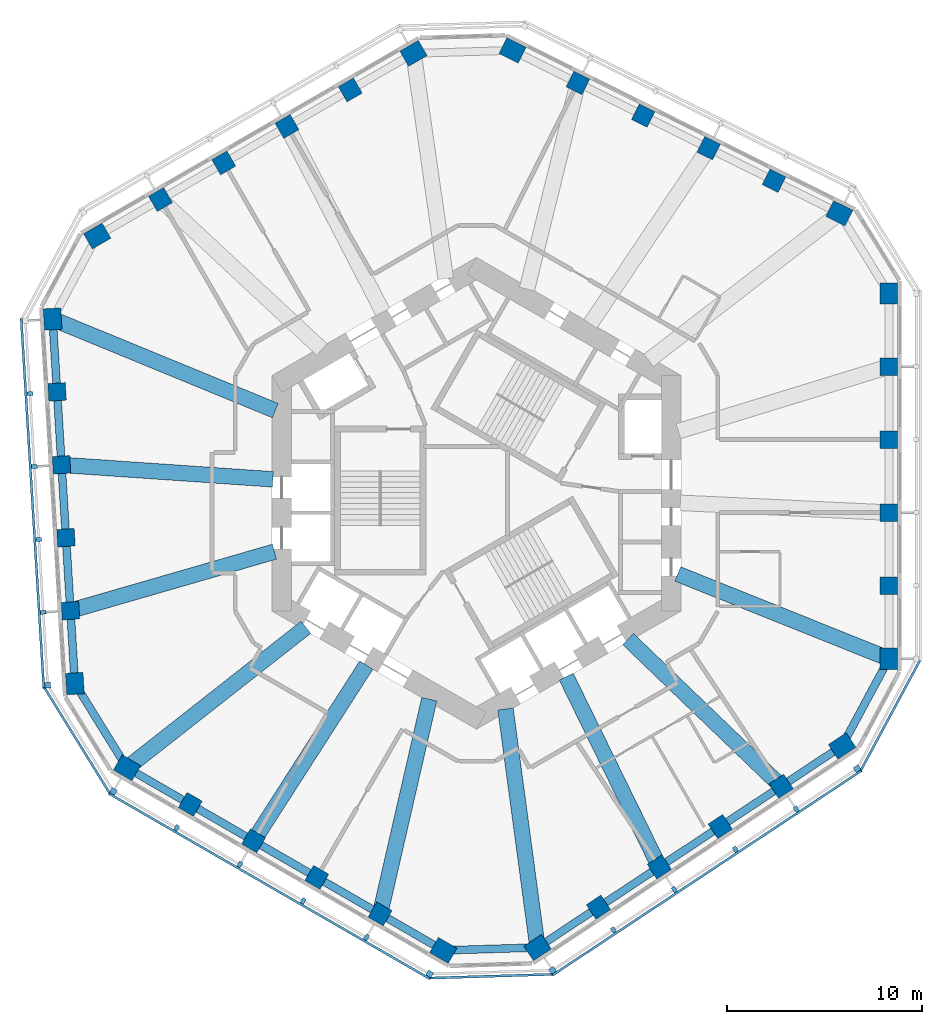
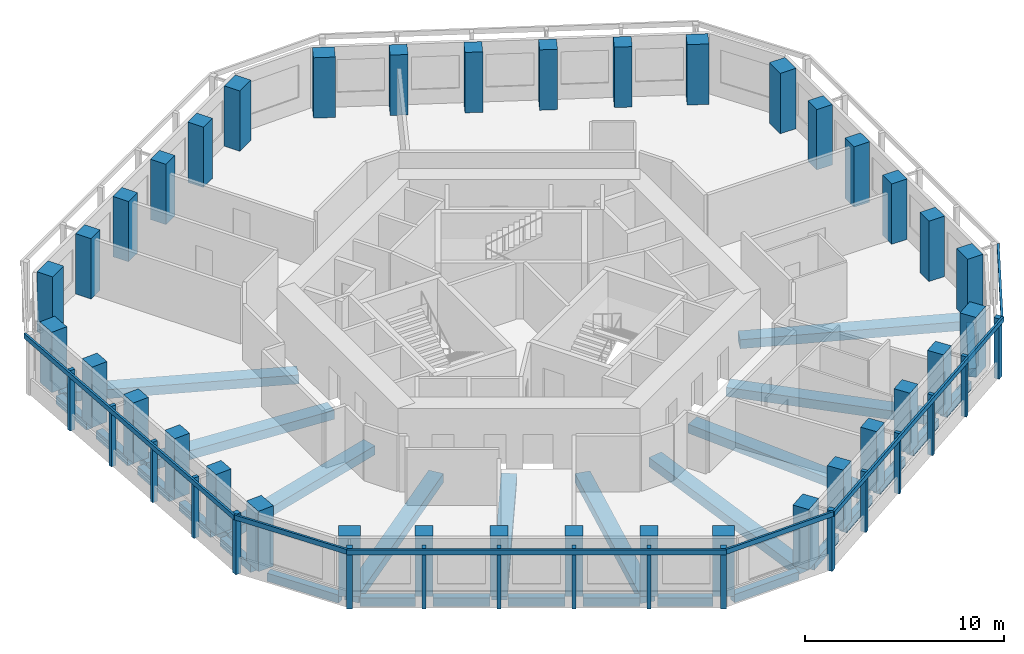
# One storey, part 1 of 10: 36 columns, 28 beams, 23 members, 6 elements without a shape of their own.
"""IFC4 building model written with IfcOpenShell, lengths in metres."""

from ifc_helpers import new_model, si_unit, direction, frame, origin, origin_2d, place, context, subcontext, project, spatial, rectangle, extrude, material, material_profile, profile_set, type_object, element, aggregate, save


model = new_model("IFC4")

# Units and contexts
model_context = context("Model", 3, precision=1e-05, world=origin(), true_north=direction((0.0, 1.0)))
body_context = subcontext(model_context, "Body", "Model", "MODEL_VIEW")
ifc_project = project(units=[si_unit("LENGTHUNIT", "METRE"), si_unit("AREAUNIT", "SQUARE_METRE"), si_unit("VOLUMEUNIT", "CUBIC_METRE"), si_unit("PLANEANGLEUNIT", "RADIAN"), si_unit("MASSUNIT", "GRAM", prefix="KILO")], contexts=[model_context])

# Site, building, storey
site_placement = place(None, origin())
site = spatial("IfcSite", under=ifc_project, at=site_placement, CompositionType="ELEMENT")
building_placement = place(site_placement, origin())
building = spatial("IfcBuilding", under=site, at=building_placement, Name="Vanh Sen Convention Tower", CompositionType="ELEMENT")
storey_placement = place(building_placement, frame((0.0, 0.0, 194.699951171875)))
storey = spatial("IfcBuildingStorey", under=building, at=storey_placement, Name="L48", CompositionType="ELEMENT", Elevation=194.699951171875)

# Columns
ifc_material_1 = material(Name="Concrete C80/95", Category="concrete")
ifc_material_profile_1 = material_profile(ifc_material_1, rectangle(XDim=0.89990234375, YDim=0.89990234375, at=origin_2d()), Name="RC 900X900")
ifc_profile_set_1 = profile_set([ifc_material_profile_1], Name="Concrete C80/95")
column_type_1 = type_object("IfcColumnType", Name="Facade column 900 x 900 C80/95", PredefinedType="COLUMN", material=ifc_profile_set_1)
for number, where, z_axis, x_axis, name in (
    (1, (21.199951171875, -4.746826171875, 0.0), (0.0, 0.0, 1.0), (0.0, 1.0, 0.0), "Facade column 02 L48"),
    (2, (21.199951171875, -0.992919921875, 0.0), (0.0, 0.0, 1.0), (0.0, 1.0, 0.0), "Facade column 03 L48"),
    (3, (21.199951171875, 2.76123046875, 0.0), (0.0, 0.0, 1.0), (0.0, 1.0, 0.0), "Facade column 04 L48"),
    (4, (21.199951171875, 6.515380859375, 0.0), (0.0, 0.0, 1.0), (0.0, 1.0, 0.0), "Facade column 05 L48"),
    (5, (15.290283203125, 16.0654296875, 0.0), (0.0, 0.0, 1.0), (-0.894934361602, 0.44619781311, 0.0), "Facade column 08 L48"),
    (6, (11.9306640625, 17.740478515625, 0.0), (0.0, 0.0, 1.0), (-0.894934361602, 0.44619781311, 0.0), "Facade column 09 L48"),
    (7, (8.57080078125, 19.41552734375, 0.0), (0.0, 0.0, 1.0), (-0.894934361602, 0.44619781311, 0.0), "Facade column 10 L48"),
    (8, (5.211181640625, 21.0908203125, 0.0), (0.0, 0.0, 1.0), (-0.894934361602, 0.44619781311, 0.0), "Facade column 11 L48"),
    (9, (-6.489013671875, 20.733154296875, 0.0), (0.0, 0.0, 1.0), (-0.866025403784, -0.5, 0.0), "Facade column 14 L48"),
    (10, (-9.740234375, 18.856201171875, 0.0), (0.0, 0.0, 1.0), (-0.866025403784, -0.5, 0.0), "Facade column 15 L48"),
    (11, (-12.991455078125, 16.97900390625, 0.0), (0.0, 0.0, 1.0), (-0.866025403784, -0.5, 0.0), "Facade column 16 L48"),
    (12, (-16.242431640625, 15.10205078125, 0.0), (0.0, 0.0, 1.0), (-0.866025403784, -0.5, 0.0), "Facade column 17 L48"),
    (13, (-21.55810546875, 5.208984375, 0.0), (0.0, 0.0, 1.0), (0.061048539535, -0.998134798422, 0.0), "Facade column 20 L48"),
    (14, (-21.3291015625, 1.4619140625, 0.0), (0.0, 0.0, 1.0), (0.061048539535, -0.998134798422, 0.0), "Facade column 21 L48"),
    (15, (-21.099853515625, -2.28515625, 0.0), (0.0, 0.0, 1.0), (0.061048539535, -0.998134798422, 0.0), "Facade column 22 L48"),
    (16, (-20.87060546875, -6.0322265625, 0.0), (0.0, 0.0, 1.0), (0.061048539535, -0.998134798422, 0.0), "Facade column 23 L48"),
    (17, (-14.7109375, -15.986328125, 0.0), (0.0, 0.0, 1.0), (0.866025403784, -0.5, 0.0), "Facade column 26 L48"),
    (18, (-11.459716796875, -17.86328125, 0.0), (0.0, 0.0, 1.0), (0.866025403784, -0.5, 0.0), "Facade column 27 L48"),
    (19, (-8.20849609375, -19.740478515625, 0.0), (0.0, 0.0, 1.0), (0.866025403784, -0.5, 0.0), "Facade column 28 L48"),
    (20, (-4.95751953125, -21.617431640625, 0.0), (0.0, 0.0, 1.0), (0.866025403784, -0.5, 0.0), "Facade column 29 L48"),
    (21, (6.267822265625, -21.2744140625, 0.0), (0.0, 0.0, 1.0), (0.833885822067, 0.551936985312, 0.0), "Facade column 32 L48"),
    (22, (9.3984375, -19.202392578125, 0.0), (0.0, 0.0, 1.0), (0.833885822067, 0.551936985312, 0.0), "Facade column 33 L48"),
    (23, (12.52880859375, -17.13037109375, 0.0), (0.0, 0.0, 1.0), (0.833885822067, 0.551936985312, 0.0), "Facade column 34 L48"),
    (24, (15.659423828125, -15.058349609375, 0.0), (0.0, 0.0, 1.0), (0.833885822067, 0.551936985312, 0.0), "Facade column 35 L48"),
):
    element("IfcColumn", number, at=place(storey_placement, frame(where, z_axis=z_axis, x_axis=x_axis)), inside=storey, type_object=column_type_1, Name=name, PredefinedType="COLUMN", context=body_context, shape_type="SweptSolid", body=[
        extrude(rectangle(XDim=0.89990234375, YDim=0.89990234375, at=origin_2d()), origin(), (0.0, 0.0, 1.0), 3.699951171875),
    ])
ifc_material_profile_2 = material_profile(ifc_material_1, rectangle(XDim=1.10009765625, YDim=0.89990234375, at=origin_2d()), Name="RC 1100X900")
ifc_profile_set_2 = profile_set([ifc_material_profile_2], Name="Concrete C80/95")
column_type_2 = type_object("IfcColumnType", Name="Facade corner column 1100 x 900 C80/95", PredefinedType="COLUMN", material=ifc_profile_set_2)
for number, where, z_axis, x_axis, name in (
    (25, (21.199951171875, -8.5009765625, 0.0), (0.0, 0.0, 1.0), (0.0, 1.0, 0.0), "Facade column 01 L48"),
    (26, (21.199951171875, 10.26953125, 0.0), (0.0, 0.0, 1.0), (0.0, 1.0, 0.0), "Facade column 06 L48"),
    (27, (18.64990234375, 14.390380859375, 0.0), (0.0, 0.0, 1.0), (-0.894934361602, 0.44619781311, 0.0), "Facade column 07 L48"),
    (28, (1.8515625, 22.765625, 0.0), (0.0, 0.0, 1.0), (-0.894934361602, 0.44619781311, 0.0), "Facade column 12 L48"),
    (29, (-3.23779296875, 22.610107421875, 0.0), (0.0, 0.0, 1.0), (-0.866025403784, -0.5, 0.0), "Facade column 13 L48"),
    (30, (-19.49365234375, 13.22509765625, 0.0), (0.0, 0.0, 1.0), (-0.866025403784, -0.5, 0.0), "Facade column 18 L48"),
    (31, (-21.787353515625, 8.956298828125, 0.0), (0.0, 0.0, 1.0), (0.061048539535, -0.998134798422, 0.0), "Facade column 19 L48"),
    (32, (-20.6416015625, -9.779296875, 0.0), (0.0, 0.0, 1.0), (0.061048539535, -0.998134798422, 0.0), "Facade column 24 L48"),
    (33, (-17.962158203125, -14.109130859375, 0.0), (0.0, 0.0, 1.0), (0.866025403784, -0.5, 0.0), "Facade column 25 L48"),
    (34, (-1.706298828125, -23.494384765625, 0.0), (0.0, 0.0, 1.0), (0.866025403784, -0.5, 0.0), "Facade column 30 L48"),
    (35, (3.137451171875, -23.346435546875, 0.0), (0.0, 0.0, 1.0), (0.833885822067, 0.551936985312, 0.0), "Facade column 31 L48"),
    (36, (18.789794921875, -12.986328125, 0.0), (0.0, 0.0, 1.0), (0.833885822067, 0.551936985312, 0.0), "Facade column 36 L48"),
):
    element("IfcColumn", number, at=place(storey_placement, frame(where, z_axis=z_axis, x_axis=x_axis)), inside=storey, type_object=column_type_2, Name=name, PredefinedType="COLUMN", context=body_context, shape_type="SweptSolid", body=[
        extrude(rectangle(XDim=1.10009765625, YDim=0.89990234375, at=origin_2d()), origin(), (0.0, 0.0, 1.0), 3.699951171875),
    ])

# Curtain wall, member
ifc_material_2 = material(Name="Concrete C50/60", Category="concrete")
curtain_wall_type = type_object("IfcCurtainWallType", Name="Outer skin office zone", PredefinedType="NOTDEFINED", material=ifc_material_2)
curtain_wall_1_placement = place(storey_placement, origin())
curtain_wall_1 = element("IfcCurtainWall", 37, at=curtain_wall_1_placement, inside=storey, type_object=curtain_wall_type, Name="OUTER SKIN W L48", PredefinedType="NOTDEFINED")
ifc_material_profile_3 = material_profile(ifc_material_2, rectangle(XDim=0.300048828125, YDim=0.300048828125, at=origin_2d()), Name="Outer skin precast corner fin 300 x 300")
ifc_profile_set_3 = profile_set([ifc_material_profile_3], Name="Concrete C50/60")
member_type_1 = type_object("IfcMemberType", Name="Outer skin precast corner fin 300 x 300", PredefinedType="MULLION", material=ifc_profile_set_3)
member_1_placement = place(storey_placement, frame((-22.038818359375, -9.864990234375, 0.0), z_axis=(0.0, 0.0, 1.0), x_axis=(0.061048539535, -0.998134798422, 0.0)))
member_1 = element("IfcMember", 38, at=member_1_placement, type_object=member_type_1, Name="OUTER SKIN CORNER FIN 6 W L48", PredefinedType="MULLION", context=body_context, shape_type="SweptSolid", body=[
    extrude(rectangle(XDim=0.300048828125, YDim=0.300048828125, at=origin_2d()), origin(), (0.0, 0.0, 1.0), 3.699951171875),
])

# Curtain wall, members
curtain_wall_2_placement = place(storey_placement, origin())
curtain_wall_2 = element("IfcCurtainWall", 39, at=curtain_wall_2_placement, inside=storey, type_object=curtain_wall_type, Name="OUTER SKIN SW L48", PredefinedType="NOTDEFINED")
member_2_placement = place(storey_placement, frame((-18.662109375, -15.321533203125, 0.0), z_axis=(0.0, 0.0, 1.0), x_axis=(0.866025403784, -0.5, 0.0)))
member_2 = element("IfcMember", 40, at=member_2_placement, type_object=member_type_1, Name="OUTER SKIN CORNER FIN 1 SW L48", PredefinedType="MULLION", context=body_context, shape_type="SweptSolid", body=[
    extrude(rectangle(XDim=0.300048828125, YDim=0.300048828125, at=origin_2d()), origin(), (0.0, 0.0, 1.0), 3.699951171875),
])
member_3_placement = place(storey_placement, frame((-2.40625, -24.706787109375, 0.0), z_axis=(0.0, 0.0, 1.0), x_axis=(0.866025403784, -0.5, 0.0)))
member_3 = element("IfcMember", 41, at=member_3_placement, type_object=member_type_1, Name="OUTER SKIN CORNER FIN 6 SW L48", PredefinedType="MULLION", context=body_context, shape_type="SweptSolid", body=[
    extrude(rectangle(XDim=0.300048828125, YDim=0.300048828125, at=origin_2d()), origin(), (0.0, 0.0, 1.0), 3.699951171875),
])

curtain_wall_3_placement = place(storey_placement, origin())
curtain_wall_3 = element("IfcCurtainWall", 42, at=curtain_wall_3_placement, inside=storey, type_object=curtain_wall_type, Name="OUTER SKIN SE L48", PredefinedType="NOTDEFINED")
member_4_placement = place(storey_placement, frame((3.91015625, -24.513916015625, 0.0), z_axis=(0.0, 0.0, 1.0), x_axis=(0.833885822067, 0.551936985312, 0.0)))
member_4 = element("IfcMember", 43, at=member_4_placement, type_object=member_type_1, Name="OUTER SKIN CORNER FIN 1 SE L48", PredefinedType="MULLION", context=body_context, shape_type="SweptSolid", body=[
    extrude(rectangle(XDim=0.300048828125, YDim=0.300048828125, at=origin_2d()), origin(), (0.0, 0.0, 1.0), 3.699951171875),
])
member_5_placement = place(storey_placement, frame((19.5625, -14.15380859375, 0.0), z_axis=(0.0, 0.0, 1.0), x_axis=(0.833885822067, 0.551936985312, 0.0)))
member_5 = element("IfcMember", 44, at=member_5_placement, type_object=member_type_1, Name="OUTER SKIN CORNER FIN 6 SE L48", PredefinedType="MULLION", context=body_context, shape_type="SweptSolid", body=[
    extrude(rectangle(XDim=0.300048828125, YDim=0.300048828125, at=origin_2d()), origin(), (0.0, 0.0, 1.0), 3.699951171875),
])

# Member
ifc_material_profile_4 = material_profile(ifc_material_2, rectangle(XDim=0.199951171875, YDim=0.300048828125, at=origin_2d()), Name="Outer skin precast fin 200 x 300")
ifc_profile_set_4 = profile_set([ifc_material_profile_4], Name="Concrete C50/60")
member_type_2 = type_object("IfcMemberType", Name="Outer skin precast fin 200 x 300", PredefinedType="MULLION", material=ifc_profile_set_4)
member_6_placement = place(storey_placement, frame((-22.95556640625, 5.12353515625, 0.0), z_axis=(0.0, 0.0, 1.0), x_axis=(0.061048539535, -0.998134798422, 0.0)))
member_6 = element("IfcMember", 45, at=member_6_placement, type_object=member_type_2, Name="OUTER SKIN fin 2 W L48", PredefinedType="MULLION", context=body_context, shape_type="SweptSolid", body=[
    extrude(rectangle(XDim=0.199951171875, YDim=0.300048828125, at=origin_2d()), origin(), (0.0, 0.0, 1.0), 3.699951171875),
])

member_7_placement = place(storey_placement, frame((-22.726318359375, 1.37646484375, 0.0), z_axis=(0.0, 0.0, 1.0), x_axis=(0.061048539535, -0.998134798422, 0.0)))
member_7 = element("IfcMember", 46, at=member_7_placement, type_object=member_type_2, Name="OUTER SKIN fin 3 W L48", PredefinedType="MULLION", context=body_context, shape_type="SweptSolid", body=[
    extrude(rectangle(XDim=0.199951171875, YDim=0.300048828125, at=origin_2d()), origin(), (0.0, 0.0, 1.0), 3.699951171875),
])

member_8_placement = place(storey_placement, frame((-22.497314453125, -2.37060546875, 0.0), z_axis=(0.0, 0.0, 1.0), x_axis=(0.061048539535, -0.998134798422, 0.0)))
member_8 = element("IfcMember", 47, at=member_8_placement, type_object=member_type_2, Name="OUTER SKIN fin 4 W L48", PredefinedType="MULLION", context=body_context, shape_type="SweptSolid", body=[
    extrude(rectangle(XDim=0.199951171875, YDim=0.300048828125, at=origin_2d()), origin(), (0.0, 0.0, 1.0), 3.699951171875),
])

member_9_placement = place(storey_placement, frame((-22.26806640625, -6.117919921875, 0.0), z_axis=(0.0, 0.0, 1.0), x_axis=(0.061048539535, -0.998134798422, 0.0)))
member_9 = element("IfcMember", 48, at=member_9_placement, type_object=member_type_2, Name="OUTER SKIN fin 5 W L48", PredefinedType="MULLION", context=body_context, shape_type="SweptSolid", body=[
    extrude(rectangle(XDim=0.199951171875, YDim=0.300048828125, at=origin_2d()), origin(), (0.0, 0.0, 1.0), 3.699951171875),
])

member_10_placement = place(storey_placement, frame((-15.410888671875, -17.19873046875, 0.0), z_axis=(0.0, 0.0, 1.0), x_axis=(0.866025403784, -0.5, 0.0)))
member_10 = element("IfcMember", 49, at=member_10_placement, type_object=member_type_2, Name="OUTER SKIN fin 2 SW L48", PredefinedType="MULLION", context=body_context, shape_type="SweptSolid", body=[
    extrude(rectangle(XDim=0.199951171875, YDim=0.300048828125, at=origin_2d()), origin(), (0.0, 0.0, 1.0), 3.699951171875),
])

member_11_placement = place(storey_placement, frame((-12.159912109375, -19.07568359375, 0.0), z_axis=(0.0, 0.0, 1.0), x_axis=(0.866025403784, -0.5, 0.0)))
member_11 = element("IfcMember", 50, at=member_11_placement, type_object=member_type_2, Name="OUTER SKIN fin 3 SW L48", PredefinedType="MULLION", context=body_context, shape_type="SweptSolid", body=[
    extrude(rectangle(XDim=0.199951171875, YDim=0.300048828125, at=origin_2d()), origin(), (0.0, 0.0, 1.0), 3.699951171875),
])

member_12_placement = place(storey_placement, frame((-8.90869140625, -20.952880859375, 0.0), z_axis=(0.0, 0.0, 1.0), x_axis=(0.866025403784, -0.5, 0.0)))
member_12 = element("IfcMember", 51, at=member_12_placement, type_object=member_type_2, Name="OUTER SKIN fin 4 SW L48", PredefinedType="MULLION", context=body_context, shape_type="SweptSolid", body=[
    extrude(rectangle(XDim=0.199951171875, YDim=0.300048828125, at=origin_2d()), origin(), (0.0, 0.0, 1.0), 3.699951171875),
])

member_13_placement = place(storey_placement, frame((-5.657470703125, -22.829833984375, 0.0), z_axis=(0.0, 0.0, 1.0), x_axis=(0.866025403784, -0.5, 0.0)))
member_13 = element("IfcMember", 52, at=member_13_placement, type_object=member_type_2, Name="OUTER SKIN fin 5 SW L48", PredefinedType="MULLION", context=body_context, shape_type="SweptSolid", body=[
    extrude(rectangle(XDim=0.199951171875, YDim=0.300048828125, at=origin_2d()), origin(), (0.0, 0.0, 1.0), 3.699951171875),
])

member_14_placement = place(storey_placement, frame((7.04052734375, -22.44189453125, 0.0), z_axis=(0.0, 0.0, 1.0), x_axis=(0.833885822067, 0.551936985312, 0.0)))
member_14 = element("IfcMember", 53, at=member_14_placement, type_object=member_type_2, Name="OUTER SKIN fin 2 SE L48", PredefinedType="MULLION", context=body_context, shape_type="SweptSolid", body=[
    extrude(rectangle(XDim=0.199951171875, YDim=0.300048828125, at=origin_2d()), origin(), (0.0, 0.0, 1.0), 3.699951171875),
])

member_15_placement = place(storey_placement, frame((10.171142578125, -20.369873046875, 0.0), z_axis=(0.0, 0.0, 1.0), x_axis=(0.833885822067, 0.551936985312, 0.0)))
member_15 = element("IfcMember", 54, at=member_15_placement, type_object=member_type_2, Name="OUTER SKIN fin 3 SE L48", PredefinedType="MULLION", context=body_context, shape_type="SweptSolid", body=[
    extrude(rectangle(XDim=0.199951171875, YDim=0.300048828125, at=origin_2d()), origin(), (0.0, 0.0, 1.0), 3.699951171875),
])

member_16_placement = place(storey_placement, frame((13.301513671875, -18.2978515625, 0.0), z_axis=(0.0, 0.0, 1.0), x_axis=(0.833885822067, 0.551936985312, 0.0)))
member_16 = element("IfcMember", 55, at=member_16_placement, type_object=member_type_2, Name="OUTER SKIN fin 4 SE L48", PredefinedType="MULLION", context=body_context, shape_type="SweptSolid", body=[
    extrude(rectangle(XDim=0.199951171875, YDim=0.300048828125, at=origin_2d()), origin(), (0.0, 0.0, 1.0), 3.699951171875),
])

member_17_placement = place(storey_placement, frame((16.43212890625, -16.225830078125, 0.0), z_axis=(0.0, 0.0, 1.0), x_axis=(0.833885822067, 0.551936985312, 0.0)))
member_17 = element("IfcMember", 56, at=member_17_placement, type_object=member_type_2, Name="OUTER SKIN fin 5 SE L48", PredefinedType="MULLION", context=body_context, shape_type="SweptSolid", body=[
    extrude(rectangle(XDim=0.199951171875, YDim=0.300048828125, at=origin_2d()), origin(), (0.0, 0.0, 1.0), 3.699951171875),
])

ifc_material_profile_5 = material_profile(ifc_material_2, rectangle(XDim=0.1201171875, YDim=0.300048828125, at=origin_2d()), Name="Outer skin precast spandrel band 300 x 120")
ifc_profile_set_5 = profile_set([ifc_material_profile_5], Name="Concrete C50/60")
member_type_3 = type_object("IfcMemberType", Name="Outer skin precast spandrel band 300 x 120", PredefinedType="USERDEFINED", material=ifc_profile_set_5)
member_18_placement = place(storey_placement, frame((-23.403564453125, 9.007568359375, 3.550048828125), z_axis=(0.061052799403, -0.998134537868, 0.0), x_axis=(0.998134537868, 0.061052799403, 0.0)))
member_18 = element("IfcMember", 57, at=member_18_placement, type_object=member_type_3, Name="OUTER SKIN spandrel band W L48", ObjectType="TRANSOM", PredefinedType="USERDEFINED", context=body_context, shape_type="SweptSolid", body=[
    extrude(rectangle(XDim=0.1201171875, YDim=0.300048828125, at=origin_2d()), origin(), (0.0, 0.0, 1.0), 19.070556640625),
])

aggregate(curtain_wall_1, [member_6, member_7, member_8, member_9, member_1, member_18])

# Curtain wall, member
curtain_wall_4_placement = place(storey_placement, origin())
curtain_wall_4 = element("IfcCurtainWall", 58, at=curtain_wall_4_placement, inside=storey, type_object=curtain_wall_type, Name="OUTER SKIN CH4 L48", PredefinedType="NOTDEFINED")
member_19_placement = place(storey_placement, frame((-22.217529296875, -9.975341796875, 3.550048828125), z_axis=(0.526207913146, -0.85035594438, 0.0), x_axis=(0.85035594438, 0.526207913146, 0.0)))
member_19 = element("IfcMember", 59, at=member_19_placement, type_object=member_type_3, Name="OUTER SKIN spandrel band CH4 L48", ObjectType="TRANSOM", PredefinedType="USERDEFINED", context=body_context, shape_type="SweptSolid", body=[
    extrude(rectangle(XDim=0.1201171875, YDim=0.300048828125, at=origin_2d()), origin(), (0.0, 0.0, 1.0), 6.4169921875),
])
aggregate(curtain_wall_4, [member_19])

# Member
member_20_placement = place(storey_placement, frame((-18.89697265625, -15.428466796875, 3.550048828125), z_axis=(0.866023136587, -0.500003926881, 0.0), x_axis=(0.500003926881, 0.866023136587, 0.0)))
member_20 = element("IfcMember", 60, at=member_20_placement, type_object=member_type_3, Name="OUTER SKIN spandrel band SW L48", ObjectType="TRANSOM", PredefinedType="USERDEFINED", context=body_context, shape_type="SweptSolid", body=[
    extrude(rectangle(XDim=0.1201171875, YDim=0.300048828125, at=origin_2d()), origin(), (0.0, 0.0, 1.0), 19.070556640625),
])

aggregate(curtain_wall_2, [member_2, member_10, member_11, member_12, member_13, member_3, member_20])

# Curtain wall, member
curtain_wall_5_placement = place(storey_placement, origin())
curtain_wall_5 = element("IfcCurtainWall", 61, at=curtain_wall_5_placement, inside=storey, type_object=curtain_wall_type, Name="OUTER SKIN CH5 L48", PredefinedType="NOTDEFINED")
member_21_placement = place(storey_placement, frame((-2.39990234375, -24.916748046875, 3.550048828125), z_axis=(0.99953413443, 0.030520716071, 0.0), x_axis=(-0.030520716071, 0.99953413443, 0.0)))
member_21 = element("IfcMember", 62, at=member_21_placement, type_object=member_type_3, Name="OUTER SKIN spandrel band CH5 L48", ObjectType="TRANSOM", PredefinedType="USERDEFINED", context=body_context, shape_type="SweptSolid", body=[
    extrude(rectangle(XDim=0.1201171875, YDim=0.300048828125, at=origin_2d()), origin(), (0.0, 0.0, 1.0), 6.3193359375),
])
aggregate(curtain_wall_5, [member_21])

# Member
member_22_placement = place(storey_placement, frame((3.90087890625, -24.771728515625, 3.550048828125), z_axis=(0.833891134859, 0.551928958475, 0.0), x_axis=(-0.551928958475, 0.833891134859, 0.0)))
member_22 = element("IfcMember", 63, at=member_22_placement, type_object=member_type_3, Name="OUTER SKIN spandrel band SE L48", ObjectType="TRANSOM", PredefinedType="USERDEFINED", context=body_context, shape_type="SweptSolid", body=[
    extrude(rectangle(XDim=0.1201171875, YDim=0.300048828125, at=origin_2d()), origin(), (0.0, 0.0, 1.0), 19.070556640625),
])

aggregate(curtain_wall_3, [member_4, member_14, member_15, member_16, member_17, member_5, member_22])

# Curtain wall, member
curtain_wall_6_placement = place(storey_placement, origin())
curtain_wall_6 = element("IfcCurtainWall", 64, at=curtain_wall_6_placement, inside=storey, type_object=curtain_wall_type, Name="OUTER SKIN CH6 L48", PredefinedType="NOTDEFINED")
member_23_placement = place(storey_placement, frame((19.74755859375, -14.253173828125, 3.550048828125), z_axis=(0.473316922434, 0.880892213008, 0.0), x_axis=(-0.880892213008, 0.473316922434, 0.0)))
member_23 = element("IfcMember", 65, at=member_23_placement, type_object=member_type_3, Name="OUTER SKIN spandrel band CH6 L48", ObjectType="TRANSOM", PredefinedType="USERDEFINED", context=body_context, shape_type="SweptSolid", body=[
    extrude(rectangle(XDim=0.1201171875, YDim=0.300048828125, at=origin_2d()), origin(), (0.0, 0.0, 1.0), 6.417236328125),
])
aggregate(curtain_wall_6, [member_23])

# Beams
ifc_material_3 = material(Name="Concrete C50/60", Category="concrete")
ifc_material_profile_6 = material_profile(ifc_material_3, rectangle(XDim=0.800048828125, YDim=0.550048828125, at=origin_2d()), Name="RC 800X550")
ifc_profile_set_6 = profile_set([ifc_material_profile_6], Name="Concrete C50/60")
beam_type_1 = type_object("IfcBeamType", Name="Radial floor beam 800 x 550", PredefinedType="BEAM", material=ifc_profile_set_6)
beam_1_placement = place(storey_placement, frame((20.903564453125, -8.382080078125, -0.554931640625), z_axis=(-0.928156603648, 0.372189896565, 0.0), x_axis=(-0.372189896565, -0.928156603648, 0.0)))
element("IfcBeam", 66, at=beam_1_placement, inside=storey, type_object=beam_type_1, Name="Radial beam 01 L48", PredefinedType="BEAM", context=body_context, shape_type="SweptSolid", body=[
    extrude(rectangle(XDim=0.800048828125, YDim=0.550048828125, at=origin_2d()), origin(), (0.0, 0.0, 1.0), 11.374267578125),
])
beam_2_placement = place(storey_placement, frame((-21.5087890625, 8.841796875, -0.554931640625), z_axis=(0.924896155716, -0.38021980635, 0.0), x_axis=(0.38021980635, 0.924896155716, 0.0)))
element("IfcBeam", 67, at=beam_2_placement, inside=storey, type_object=beam_type_1, Name="Radial beam 10 L48", PredefinedType="BEAM", context=body_context, shape_type="SweptSolid", body=[
    extrude(rectangle(XDim=0.800048828125, YDim=0.550048828125, at=origin_2d()), origin(), (0.0, 0.0, 1.0), 12.072265625),
])
beam_3_placement = place(storey_placement, frame((-20.93310546875, 1.434814453125, -0.554931640625), z_axis=(0.997659434277, -0.068378748143, 0.0), x_axis=(0.068378748143, 0.997659434277, 0.0)))
element("IfcBeam", 68, at=beam_3_placement, inside=storey, type_object=beam_type_1, Name="Radial beam 11 L48", PredefinedType="BEAM", context=body_context, shape_type="SweptSolid", body=[
    extrude(rectangle(XDim=0.800048828125, YDim=0.550048828125, at=origin_2d()), origin(), (0.0, 0.0, 1.0), 10.489990234375),
])
beam_4_placement = place(storey_placement, frame((-20.61328125, -5.9580078125, -0.554931640625), z_axis=(0.96067232832, 0.277684492906, 0.0), x_axis=(-0.277684492906, 0.96067232832, 0.0)))
element("IfcBeam", 69, at=beam_4_placement, inside=storey, type_object=beam_type_1, Name="Radial beam 12 L48", PredefinedType="BEAM", context=body_context, shape_type="SweptSolid", body=[
    extrude(rectangle(XDim=0.800048828125, YDim=0.550048828125, at=origin_2d()), origin(), (0.0, 0.0, 1.0), 10.64794921875),
])
beam_5_placement = place(storey_placement, frame((-17.7109375, -13.911865234375, -0.554931640625), z_axis=(0.786403987122, 0.617712529449, 0.0), x_axis=(-0.617712529449, 0.786403987122, 0.0)))
element("IfcBeam", 70, at=beam_5_placement, inside=storey, type_object=beam_type_1, Name="Radial beam 13 L48", PredefinedType="BEAM", context=body_context, shape_type="SweptSolid", body=[
    extrude(rectangle(XDim=0.800048828125, YDim=0.550048828125, at=origin_2d()), origin(), (0.0, 0.0, 1.0), 11.3740234375),
])
beam_6_placement = place(storey_placement, frame((-11.2294921875, -17.504150390625, -0.554931640625), z_axis=(0.539967356894, 0.841685958947, 0.0), x_axis=(-0.841685958947, 0.539967356894, 0.0)))
element("IfcBeam", 71, at=beam_6_placement, inside=storey, type_object=beam_type_1, Name="Radial beam 14 L48", PredefinedType="BEAM", context=body_context, shape_type="SweptSolid", body=[
    extrude(rectangle(XDim=0.800048828125, YDim=0.550048828125, at=origin_2d()), origin(), (0.0, 0.0, 1.0), 10.308837890625),
])
beam_7_placement = place(storey_placement, frame((-4.9072265625, -21.39794921875, -0.554931640625), z_axis=(0.223532057965, 0.974696577947, 0.0), x_axis=(-0.974696577947, 0.223532057965, 0.0)))
element("IfcBeam", 72, at=beam_7_placement, inside=storey, type_object=beam_type_1, Name="Radial beam 15 L48", PredefinedType="BEAM", context=body_context, shape_type="SweptSolid", body=[
    extrude(rectangle(XDim=0.800048828125, YDim=0.550048828125, at=origin_2d()), origin(), (0.0, 0.0, 1.0), 11.0966796875),
])
beam_8_placement = place(storey_placement, frame((3.097412109375, -23.0478515625, -0.554931640625), z_axis=(-0.133194270132, 0.991089948695, 0.0), x_axis=(-0.991089948695, -0.133194270132, 0.0)))
element("IfcBeam", 73, at=beam_8_placement, inside=storey, type_object=beam_type_1, Name="Radial beam 16 L48", PredefinedType="BEAM", context=body_context, shape_type="SweptSolid", body=[
    extrude(rectangle(XDim=0.800048828125, YDim=0.550048828125, at=origin_2d()), origin(), (0.0, 0.0, 1.0), 12.072021484375),
])
beam_9_placement = place(storey_placement, frame((9.22412109375, -18.84619140625, -0.554931640625), z_axis=(-0.439610391955, 0.898188567777, 0.0), x_axis=(-0.898188567777, -0.439610391955, 0.0)))
element("IfcBeam", 74, at=beam_9_placement, inside=storey, type_object=beam_type_1, Name="Radial beam 17 L48", PredefinedType="BEAM", context=body_context, shape_type="SweptSolid", body=[
    extrude(rectangle(XDim=0.800048828125, YDim=0.550048828125, at=origin_2d()), origin(), (0.0, 0.0, 1.0), 10.490234375),
])
beam_10_placement = place(storey_placement, frame((15.46630859375, -14.87255859375, -0.554931640625), z_axis=(-0.720808831616, 0.693133917987, 0.0), x_axis=(-0.693133917987, -0.720808831616, 0.0)))
element("IfcBeam", 75, at=beam_10_placement, inside=storey, type_object=beam_type_1, Name="Radial beam 18 L48", PredefinedType="BEAM", context=body_context, shape_type="SweptSolid", body=[
    extrude(rectangle(XDim=0.800048828125, YDim=0.550048828125, at=origin_2d()), origin(), (0.0, 0.0, 1.0), 10.64794921875),
])
ifc_material_profile_7 = material_profile(ifc_material_3, rectangle(XDim=0.39990234375, YDim=0.5, at=origin_2d()), Name="RC 400X500")
ifc_profile_set_7 = profile_set([ifc_material_profile_7], Name="Concrete C50/60")
beam_type_2 = type_object("IfcBeamType", Name="Spandrel beam 400 x 500", PredefinedType="SPANDREL", material=ifc_profile_set_7)
beam_11_placement = place(storey_placement, frame((-21.754150390625, 8.412353515625, -0.530029296875), z_axis=(0.061031049006, -0.998135868035, 0.0), x_axis=(0.998135868035, 0.061031049006, 0.0)))
element("IfcBeam", 76, at=beam_11_placement, inside=storey, type_object=beam_type_2, Name="Spandrel beam 19 L48", PredefinedType="SPANDREL", context=body_context, shape_type="SweptSolid", body=[
    extrude(rectangle(XDim=0.39990234375, YDim=0.5, at=origin_2d()), origin(), (0.0, 0.0, 1.0), 2.76416015625),
])
for number, where, z_axis, x_axis, name in (
    (77, (-21.531005859375, 4.764892578125, -0.530029296875), (0.06103034265, -0.998135911225, 0.0), (0.998135911225, 0.06103034265, 0.0), "Spandrel beam 20 L48"),
    (78, (-21.3017578125, 1.017822265625, -0.530029296875), (0.06103034265, -0.998135911225, 0.0), (0.998135911225, 0.06103034265, 0.0), "Spandrel beam 21 L48"),
):
    element("IfcBeam", number, at=place(storey_placement, frame(where, z_axis=z_axis, x_axis=x_axis)), inside=storey, type_object=beam_type_2, Name=name, PredefinedType="SPANDREL", context=body_context, shape_type="SweptSolid", body=[
        extrude(rectangle(XDim=0.39990234375, YDim=0.5, at=origin_2d()), origin(), (0.0, 0.0, 1.0), 2.8642578125),
    ])
beam_12_placement = place(storey_placement, frame((-21.072509765625, -2.7294921875, -0.530029296875), z_axis=(0.060950607236, -0.998140783396, 0.0), x_axis=(0.998140783396, 0.060950607236, 0.0)))
element("IfcBeam", 79, at=beam_12_placement, inside=storey, type_object=beam_type_2, Name="Spandrel beam 22 L48", PredefinedType="SPANDREL", context=body_context, shape_type="SweptSolid", body=[
    extrude(rectangle(XDim=0.39990234375, YDim=0.5, at=origin_2d()), origin(), (0.0, 0.0, 1.0), 2.864013671875),
])
beam_13_placement = place(storey_placement, frame((-20.843505859375, -6.476318359375, -0.530029296875), z_axis=(0.061025669095, -0.998136196975, 0.0), x_axis=(0.998136196975, 0.061025669095, 0.0)))
element("IfcBeam", 80, at=beam_13_placement, inside=storey, type_object=beam_type_2, Name="Spandrel beam 23 L48", PredefinedType="SPANDREL", context=body_context, shape_type="SweptSolid", body=[
    extrude(rectangle(XDim=0.39990234375, YDim=0.5, at=origin_2d()), origin(), (0.0, 0.0, 1.0), 2.764404296875),
])
beam_14_placement = place(storey_placement, frame((-20.3720703125, -10.214599609375, -0.530029296875), z_axis=(0.526212046854, -0.850353386391, 0.0), x_axis=(0.850353386391, 0.526212046854, 0.0)))
element("IfcBeam", 81, at=beam_14_placement, inside=storey, type_object=beam_type_2, Name="Spandrel beam 24 L48", PredefinedType="SPANDREL", context=body_context, shape_type="SweptSolid", body=[
    extrude(rectangle(XDim=0.39990234375, YDim=0.5, at=origin_2d()), origin(), (0.0, 0.0, 1.0), 4.06787109375),
])
beam_15_placement = place(storey_placement, frame((-17.489990234375, -14.381591796875, -0.530029296875), z_axis=(0.865984073989, -0.500071578473, 0.0), x_axis=(0.500071578473, 0.865984073989, 0.0)))
element("IfcBeam", 82, at=beam_15_placement, inside=storey, type_object=beam_type_2, Name="Spandrel beam 25 L48", PredefinedType="SPANDREL", context=body_context, shape_type="SweptSolid", body=[
    extrude(rectangle(XDim=0.39990234375, YDim=0.5, at=origin_2d()), origin(), (0.0, 0.0, 1.0), 2.76416015625),
])
beam_16_placement = place(storey_placement, frame((-14.325439453125, -16.208740234375, -0.530029296875), z_axis=(0.865999615357, -0.500044664207, 0.0), x_axis=(0.500044664207, 0.865999615357, 0.0)))
element("IfcBeam", 83, at=beam_16_placement, inside=storey, type_object=beam_type_2, Name="Spandrel beam 26 L48", PredefinedType="SPANDREL", context=body_context, shape_type="SweptSolid", body=[
    extrude(rectangle(XDim=0.39990234375, YDim=0.5, at=origin_2d()), origin(), (0.0, 0.0, 1.0), 2.864013671875),
])
beam_17_placement = place(storey_placement, frame((-11.074462890625, -18.085693359375, -0.530029296875), z_axis=(0.866020927947, -0.500007752297, 0.0), x_axis=(0.500007752297, 0.866020927947, 0.0)))
element("IfcBeam", 84, at=beam_17_placement, inside=storey, type_object=beam_type_2, Name="Spandrel beam 27 L48", PredefinedType="SPANDREL", context=body_context, shape_type="SweptSolid", body=[
    extrude(rectangle(XDim=0.39990234375, YDim=0.5, at=origin_2d()), origin(), (0.0, 0.0, 1.0), 2.8642578125),
])
beam_18_placement = place(storey_placement, frame((-7.8232421875, -19.962890625, -0.530029296875), z_axis=(0.865999615357, -0.500044664207, 0.0), x_axis=(0.500044664207, 0.865999615357, 0.0)))
element("IfcBeam", 85, at=beam_18_placement, inside=storey, type_object=beam_type_2, Name="Spandrel beam 28 L48", PredefinedType="SPANDREL", context=body_context, shape_type="SweptSolid", body=[
    extrude(rectangle(XDim=0.39990234375, YDim=0.5, at=origin_2d()), origin(), (0.0, 0.0, 1.0), 2.864013671875),
])
beam_19_placement = place(storey_placement, frame((-4.572021484375, -21.840087890625, -0.530029296875), z_axis=(0.866060565847, -0.499939092575, 0.0), x_axis=(0.499939092575, 0.866060565847, 0.0)))
element("IfcBeam", 86, at=beam_19_placement, inside=storey, type_object=beam_type_2, Name="Spandrel beam 29 L48", PredefinedType="SPANDREL", context=body_context, shape_type="SweptSolid", body=[
    extrude(rectangle(XDim=0.39990234375, YDim=0.5, at=origin_2d()), origin(), (0.0, 0.0, 1.0), 2.763916015625),
])
beam_20_placement = place(storey_placement, frame((-1.1884765625, -23.478759765625, -0.530029296875), z_axis=(0.99953273371, 0.030566554301, 0.0), x_axis=(-0.030566554301, 0.99953273371, 0.0)))
element("IfcBeam", 87, at=beam_20_placement, inside=storey, type_object=beam_type_2, Name="Spandrel beam 30 L48", PredefinedType="SPANDREL", context=body_context, shape_type="SweptSolid", body=[
    extrude(rectangle(XDim=0.39990234375, YDim=0.5, at=origin_2d()), origin(), (0.0, 0.0, 1.0), 3.809814453125),
])
beam_21_placement = place(storey_placement, frame((3.591796875, -23.045654296875, -0.530029296875), z_axis=(0.833880195108, 0.551945486625, 0.0), x_axis=(-0.551945486625, 0.833880195108, 0.0)))
element("IfcBeam", 88, at=beam_21_placement, inside=storey, type_object=beam_type_2, Name="Spandrel beam 31 L48", PredefinedType="SPANDREL", context=body_context, shape_type="SweptSolid", body=[
    extrude(rectangle(XDim=0.39990234375, YDim=0.5, at=origin_2d()), origin(), (0.0, 0.0, 1.0), 2.76416015625),
])
beam_22_placement = place(storey_placement, frame((6.638916015625, -21.02880859375, -0.530029296875), z_axis=(0.83389470575, 0.551923563297, 0.0), x_axis=(-0.551923563297, 0.83389470575, 0.0)))
element("IfcBeam", 89, at=beam_22_placement, inside=storey, type_object=beam_type_2, Name="Spandrel beam 32 L48", PredefinedType="SPANDREL", context=body_context, shape_type="SweptSolid", body=[
    extrude(rectangle(XDim=0.39990234375, YDim=0.5, at=origin_2d()), origin(), (0.0, 0.0, 1.0), 2.8642578125),
])
beam_23_placement = place(storey_placement, frame((9.76953125, -18.956787109375, -0.530029296875), z_axis=(0.833868737461, 0.551962796469, 0.0), x_axis=(-0.551962796469, 0.833868737461, 0.0)))
element("IfcBeam", 90, at=beam_23_placement, inside=storey, type_object=beam_type_2, Name="Spandrel beam 33 L48", PredefinedType="SPANDREL", context=body_context, shape_type="SweptSolid", body=[
    extrude(rectangle(XDim=0.39990234375, YDim=0.5, at=origin_2d()), origin(), (0.0, 0.0, 1.0), 2.864013671875),
])
beam_24_placement = place(storey_placement, frame((12.89990234375, -16.884765625, -0.530029296875), z_axis=(0.83389470575, 0.551923563297, 0.0), x_axis=(-0.551923563297, 0.83389470575, 0.0)))
element("IfcBeam", 91, at=beam_24_placement, inside=storey, type_object=beam_type_2, Name="Spandrel beam 34 L48", PredefinedType="SPANDREL", context=body_context, shape_type="SweptSolid", body=[
    extrude(rectangle(XDim=0.39990234375, YDim=0.5, at=origin_2d()), origin(), (0.0, 0.0, 1.0), 2.8642578125),
])
beam_25_placement = place(storey_placement, frame((16.030517578125, -14.812744140625, -0.530029296875), z_axis=(0.833880195108, 0.551945486625, 0.0), x_axis=(-0.551945486625, 0.833880195108, 0.0)))
element("IfcBeam", 92, at=beam_25_placement, inside=storey, type_object=beam_type_2, Name="Spandrel beam 35 L48", PredefinedType="SPANDREL", context=body_context, shape_type="SweptSolid", body=[
    extrude(rectangle(XDim=0.39990234375, YDim=0.5, at=origin_2d()), origin(), (0.0, 0.0, 1.0), 2.76416015625),
])
beam_26_placement = place(storey_placement, frame((19.0322265625, -12.535400390625, -0.530029296875), z_axis=(0.473330196808, 0.880885080354, 0.0), x_axis=(-0.880885080354, 0.473330196808, 0.0)))
element("IfcBeam", 93, at=beam_26_placement, inside=storey, type_object=beam_type_2, Name="Spandrel beam 36 L48", PredefinedType="SPANDREL", context=body_context, shape_type="SweptSolid", body=[
    extrude(rectangle(XDim=0.39990234375, YDim=0.5, at=origin_2d()), origin(), (0.0, 0.0, 1.0), 4.068115234375),
])

save(model, "model.ifc")
